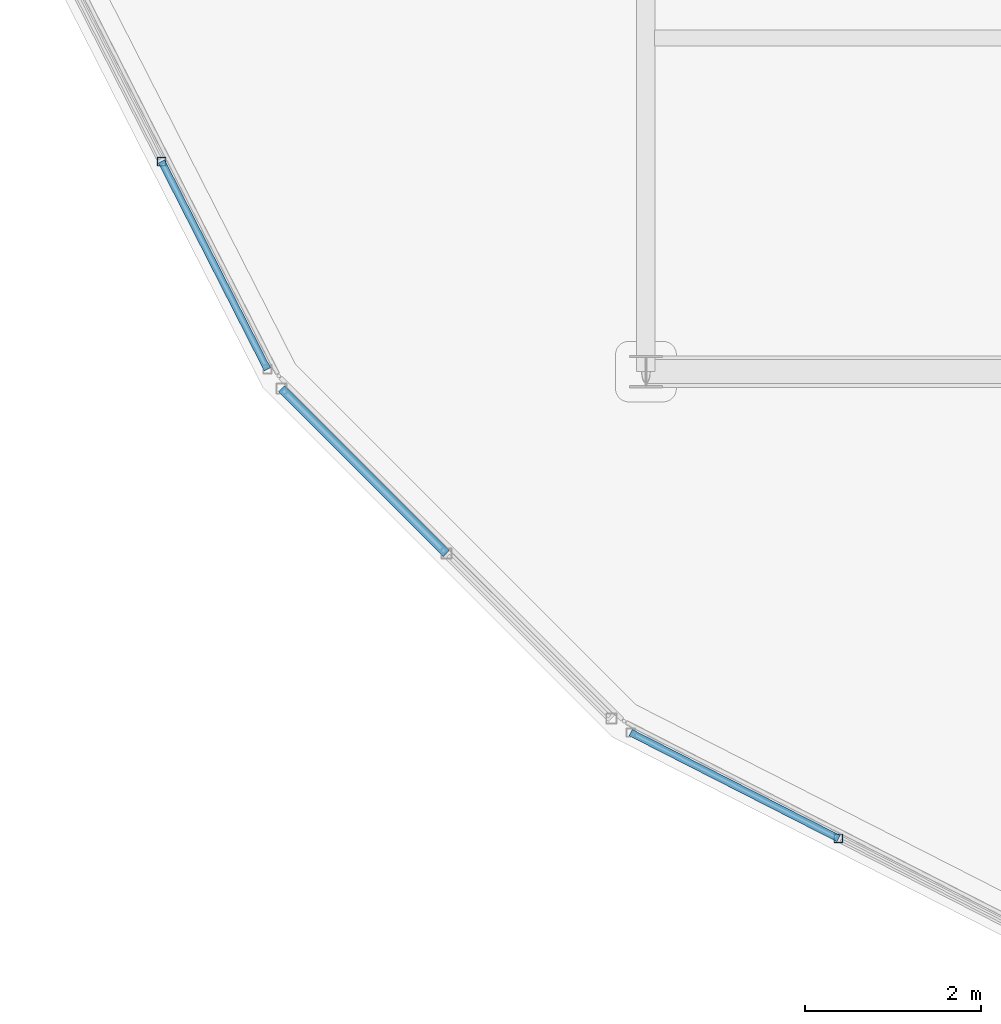
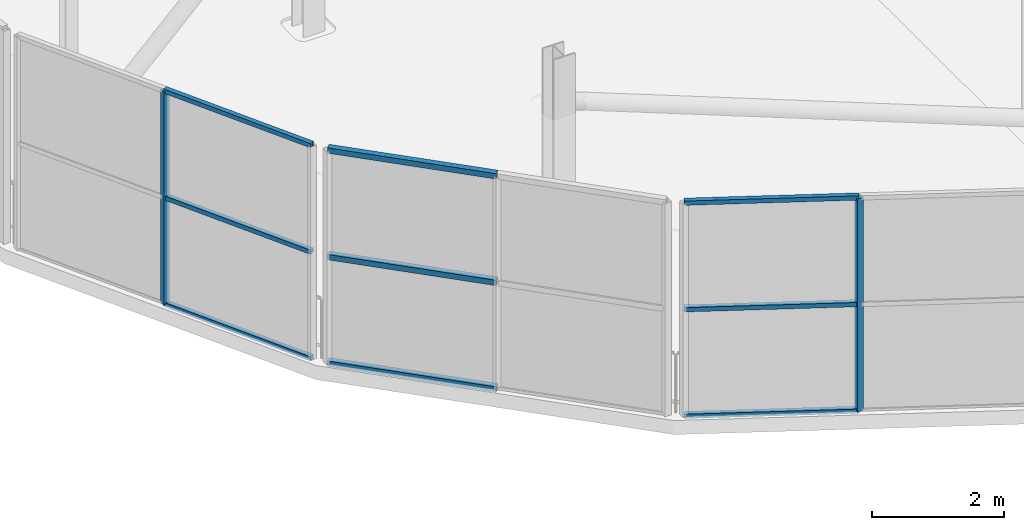
# One storey, part 15 of 217: 11 members, 3 elements without a shape of their own.
"""IFC4 building model written with IfcOpenShell, lengths in metres."""

from ifc_helpers import new_model, si_unit, direction, frame, origin, origin_2d, place, context, subcontext, project, spatial, hollow_rectangle, extrude, material, material_profile, profile_set, type_object, element, aggregate, save


model = new_model("IFC4")

# Units and contexts
model_context = context("Model", 3, precision=1e-05, world=origin(), true_north=direction((0.0, 1.0)))
body_context = subcontext(model_context, "Body", "Model", "MODEL_VIEW")
ifc_project = project(units=[si_unit("LENGTHUNIT", "METRE"), si_unit("AREAUNIT", "SQUARE_METRE"), si_unit("VOLUMEUNIT", "CUBIC_METRE"), si_unit("PLANEANGLEUNIT", "RADIAN"), si_unit("MASSUNIT", "GRAM", prefix="KILO")], contexts=[model_context])

# Site, building, storey
site_placement = place(None, origin())
site = spatial("IfcSite", under=ifc_project, at=site_placement, CompositionType="ELEMENT")
building_placement = place(site_placement, origin())
building = spatial("IfcBuilding", under=site, at=building_placement, Name="Zuvorla Pavilion Media Centre", CompositionType="ELEMENT")
storey_placement = place(building_placement, frame((0.0, 0.0, 9.60009765625)))
storey = spatial("IfcBuildingStorey", under=building, at=storey_placement, Name="L02", CompositionType="ELEMENT", Elevation=9.60009765625)

# Curtain wall, member
ifc_material_1 = material(Name="Unitised anodised aluminium and solar glass curtain wall", Category="aluminium")
curtain_wall_type_1 = type_object("IfcCurtainWallType", Name="CW-SYS-02", PredefinedType="USERDEFINED", material=ifc_material_1)
curtain_wall_1_placement = place(storey_placement, origin())
curtain_wall_1 = element("IfcCurtainWall", 1, at=curtain_wall_1_placement, inside=storey, type_object=curtain_wall_type_1, Name="L02 curtain wall CW02 34", ObjectType="CURTAIN WALL", PredefinedType="USERDEFINED")
ifc_material_2 = material(Name="Anodised aluminium 6063-T6", Category="aluminium")
ifc_material_profile_1 = material_profile(ifc_material_2, hollow_rectangle(XDim=0.10009765625, YDim=0.10009765625, WallThickness=0.00439453125, at=origin_2d()), Name="ALU MULL 100x100")
ifc_profile_set_1 = profile_set([ifc_material_profile_1], Name="Anodised aluminium 6063-T6")
member_type_1 = type_object("IfcMemberType", Name="CW-MULL-100", PredefinedType="MULLION", material=ifc_profile_set_1)
member_1_placement = place(storey_placement, frame((10.884033203125, 53.992431640625, 0.0), z_axis=(0.0, 0.0, 1.0), x_axis=(1.0, 0.0, 0.0)))
member_1 = element("IfcMember", 2, at=member_1_placement, type_object=member_type_1, Name="CW02 mullion 2", PredefinedType="MULLION", context=body_context, shape_type="SweptSolid", body=[
    extrude(hollow_rectangle(XDim=0.10009765625, YDim=0.10009765625, WallThickness=0.00439453125, at=origin_2d()), origin(), (0.0, 0.0, 1.0), 3.949951171875),
])

curtain_wall_type_2 = type_object("IfcCurtainWallType", Name="CW-SYS-04", PredefinedType="USERDEFINED", material=ifc_material_1)
curtain_wall_2_placement = place(storey_placement, origin())
curtain_wall_2 = element("IfcCurtainWall", 3, at=curtain_wall_2_placement, inside=storey, type_object=curtain_wall_type_2, Name="L02 curtain wall CW04 36", ObjectType="CURTAIN WALL", PredefinedType="USERDEFINED")
member_2_placement = place(storey_placement, frame((18.59228515625, 46.2841796875, 0.0), z_axis=(0.0, 0.0, 1.0), x_axis=(1.0, 0.0, 0.0)))
member_2 = element("IfcMember", 4, at=member_2_placement, type_object=member_type_1, Name="CW04 mullion 2", PredefinedType="MULLION", context=body_context, shape_type="SweptSolid", body=[
    extrude(hollow_rectangle(XDim=0.10009765625, YDim=0.10009765625, WallThickness=0.00439453125, at=origin_2d()), origin(), (0.0, 0.0, 1.0), 3.949951171875),
])

# Curtain wall, members
curtain_wall_type_3 = type_object("IfcCurtainWallType", Name="CW-SYS-03", PredefinedType="USERDEFINED", material=ifc_material_1)
curtain_wall_3_placement = place(storey_placement, origin())
curtain_wall_3 = element("IfcCurtainWall", 5, at=curtain_wall_3_placement, inside=storey, type_object=curtain_wall_type_3, Name="L02 curtain wall CW03 35", ObjectType="CURTAIN WALL", PredefinedType="USERDEFINED")
ifc_material_profile_2 = material_profile(ifc_material_2, hollow_rectangle(XDim=0.10009765625, YDim=0.10009765625, WallThickness=0.00439453125, at=origin_2d()), Name="ALU TRAN 100x100")
ifc_profile_set_2 = profile_set([ifc_material_profile_2], Name="Anodised aluminium 6063-T6")
member_type_2 = type_object("IfcMemberType", Name="CW-TRAN-100", PredefinedType="USERDEFINED", material=ifc_profile_set_2)
member_3_placement = place(storey_placement, frame((12.249755859375, 51.40576171875, 0.0), z_axis=(0.707106781187, -0.707106781187, 0.0), x_axis=(0.707106781187, 0.707106781187, 0.0)))
member_3 = element("IfcMember", 6, at=member_3_placement, type_object=member_type_2, Name="CW03 transom 1.1", ObjectType="TRANSOM", PredefinedType="USERDEFINED", context=body_context, shape_type="SweptSolid", body=[
    extrude(hollow_rectangle(XDim=0.10009765625, YDim=0.10009765625, WallThickness=0.00439453125, at=origin_2d()), origin(), (0.0, 0.0, 1.0), 2.65576171875),
])
member_4_placement = place(storey_placement, frame((12.249755859375, 51.40576171875, 1.974853515625), z_axis=(0.707106781187, -0.707106781187, 0.0), x_axis=(0.707106781187, 0.707106781187, 0.0)))
member_4 = element("IfcMember", 7, at=member_4_placement, type_object=member_type_2, Name="CW03 transom 1.2", ObjectType="TRANSOM", PredefinedType="USERDEFINED", context=body_context, shape_type="SweptSolid", body=[
    extrude(hollow_rectangle(XDim=0.10009765625, YDim=0.10009765625, WallThickness=0.00439453125, at=origin_2d()), origin(), (0.0, 0.0, 1.0), 2.65576171875),
])
member_5_placement = place(storey_placement, frame((12.249755859375, 51.40576171875, 3.949951171875), z_axis=(0.707106781187, -0.707106781187, 0.0), x_axis=(0.707106781187, 0.707106781187, 0.0)))
member_5 = element("IfcMember", 8, at=member_5_placement, type_object=member_type_2, Name="CW03 transom 1.3", ObjectType="TRANSOM", PredefinedType="USERDEFINED", context=body_context, shape_type="SweptSolid", body=[
    extrude(hollow_rectangle(XDim=0.10009765625, YDim=0.10009765625, WallThickness=0.00439453125, at=origin_2d()), origin(), (0.0, 0.0, 1.0), 2.65576171875),
])
aggregate(curtain_wall_3, [member_3, member_4, member_5])

# Member
ifc_material_profile_3 = material_profile(ifc_material_2, hollow_rectangle(XDim=0.080078125, YDim=0.080078125, WallThickness=0.00390625, at=origin_2d()), Name="ALU TRAN 80x80")
ifc_profile_set_3 = profile_set([ifc_material_profile_3], Name="Anodised aluminium 6063-T6")
member_type_3 = type_object("IfcMemberType", Name="CW-TRAN-80", PredefinedType="USERDEFINED", material=ifc_profile_set_3)
member_6_placement = place(storey_placement, frame((10.884033203125, 53.992431640625, 0.0), z_axis=(0.454002892375, -0.891000209717, 0.0), x_axis=(0.891000209717, 0.454002892375, 0.0)))
member_6 = element("IfcMember", 9, at=member_6_placement, type_object=member_type_3, Name="CW02 transom 2.1", ObjectType="TRANSOM", PredefinedType="USERDEFINED", context=body_context, shape_type="SweptSolid", body=[
    extrude(hollow_rectangle(XDim=0.080078125, YDim=0.080078125, WallThickness=0.00390625, at=origin_2d()), origin(), (0.0, 0.0, 1.0), 2.656005859375),
])

member_7_placement = place(storey_placement, frame((10.884033203125, 53.992431640625, 1.974853515625), z_axis=(0.454002892375, -0.891000209717, 0.0), x_axis=(0.891000209717, 0.454002892375, 0.0)))
member_7 = element("IfcMember", 10, at=member_7_placement, type_object=member_type_3, Name="CW02 transom 2.2", ObjectType="TRANSOM", PredefinedType="USERDEFINED", context=body_context, shape_type="SweptSolid", body=[
    extrude(hollow_rectangle(XDim=0.080078125, YDim=0.080078125, WallThickness=0.00390625, at=origin_2d()), origin(), (0.0, 0.0, 1.0), 2.656005859375),
])

member_8_placement = place(storey_placement, frame((10.884033203125, 53.992431640625, 3.949951171875), z_axis=(0.454002892375, -0.891000209717, 0.0), x_axis=(0.891000209717, 0.454002892375, 0.0)))
member_8 = element("IfcMember", 11, at=member_8_placement, type_object=member_type_3, Name="CW02 transom 2.3", ObjectType="TRANSOM", PredefinedType="USERDEFINED", context=body_context, shape_type="SweptSolid", body=[
    extrude(hollow_rectangle(XDim=0.080078125, YDim=0.080078125, WallThickness=0.00390625, at=origin_2d()), origin(), (0.0, 0.0, 1.0), 2.656005859375),
])

aggregate(curtain_wall_1, [member_1, member_6, member_7, member_8])

member_9_placement = place(storey_placement, frame((16.22607421875, 47.48974609375, 0.0), z_axis=(0.891018448403, -0.45396709639, 0.0), x_axis=(0.45396709639, 0.891018448403, 0.0)))
member_9 = element("IfcMember", 12, at=member_9_placement, type_object=member_type_3, Name="CW04 transom 1.1", ObjectType="TRANSOM", PredefinedType="USERDEFINED", context=body_context, shape_type="SweptSolid", body=[
    extrude(hollow_rectangle(XDim=0.080078125, YDim=0.080078125, WallThickness=0.00390625, at=origin_2d()), origin(), (0.0, 0.0, 1.0), 2.655517578125),
])

member_10_placement = place(storey_placement, frame((16.22607421875, 47.48974609375, 1.974853515625), z_axis=(0.891018448403, -0.45396709639, 0.0), x_axis=(0.45396709639, 0.891018448403, 0.0)))
member_10 = element("IfcMember", 13, at=member_10_placement, type_object=member_type_3, Name="CW04 transom 1.2", ObjectType="TRANSOM", PredefinedType="USERDEFINED", context=body_context, shape_type="SweptSolid", body=[
    extrude(hollow_rectangle(XDim=0.080078125, YDim=0.080078125, WallThickness=0.00390625, at=origin_2d()), origin(), (0.0, 0.0, 1.0), 2.655517578125),
])

member_11_placement = place(storey_placement, frame((16.22607421875, 47.48974609375, 3.949951171875), z_axis=(0.891018448403, -0.45396709639, 0.0), x_axis=(0.45396709639, 0.891018448403, 0.0)))
member_11 = element("IfcMember", 14, at=member_11_placement, type_object=member_type_3, Name="CW04 transom 1.3", ObjectType="TRANSOM", PredefinedType="USERDEFINED", context=body_context, shape_type="SweptSolid", body=[
    extrude(hollow_rectangle(XDim=0.080078125, YDim=0.080078125, WallThickness=0.00390625, at=origin_2d()), origin(), (0.0, 0.0, 1.0), 2.655517578125),
])

aggregate(curtain_wall_2, [member_2, member_9, member_10, member_11])

save(model, "model.ifc")
